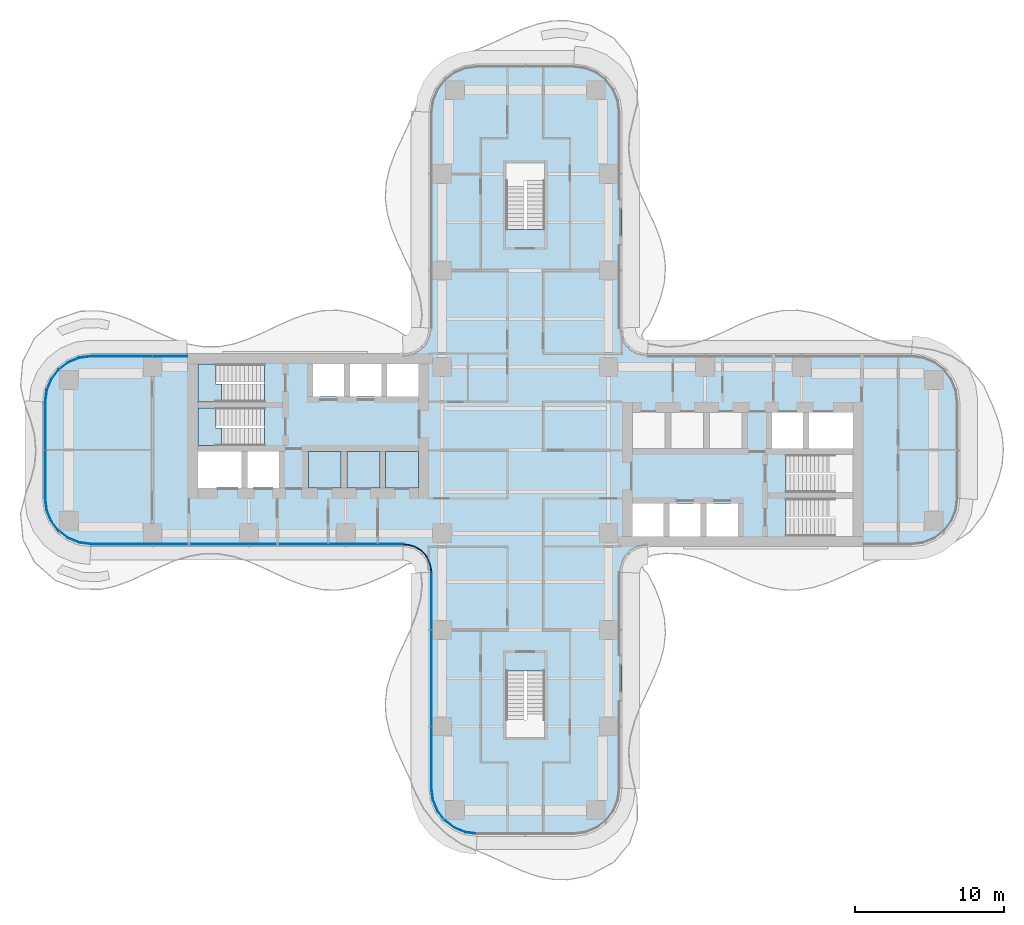
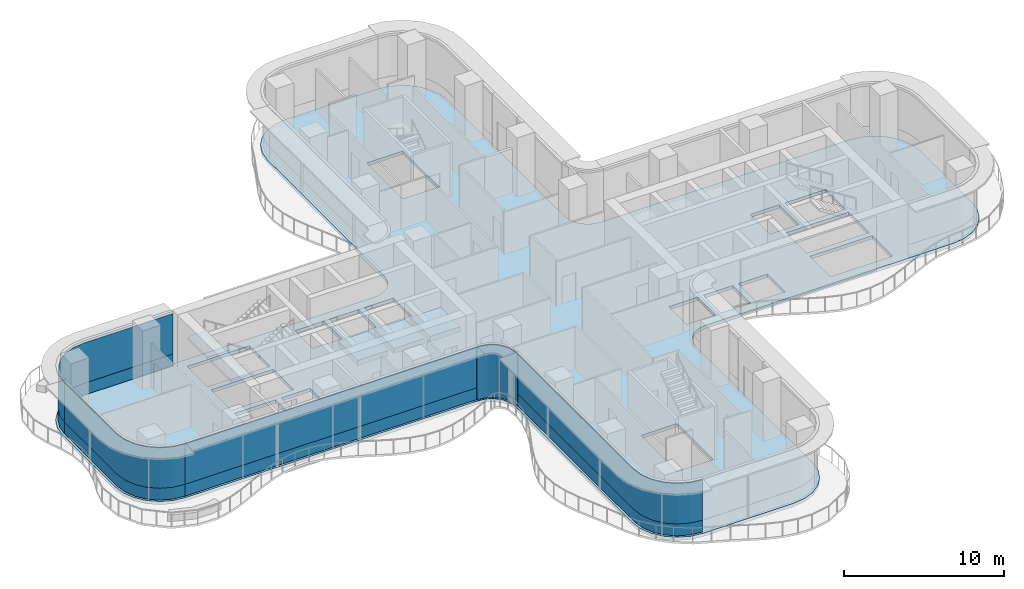
# One storey, part 12 of 20: 9 plates, 6 slabs, 7 elements without a shape of their own.
"""IFC4 building model written with IfcOpenShell, lengths in metres."""

from ifc_helpers import new_model, si_unit, direction, frame, origin, place, context, subcontext, project, spatial, polyline, outline, extrude, source, transform, mapped, material, layer, layer_set, type_object, element, aggregate, save


model = new_model("IFC4")

# Units and contexts
model_context = context("Model", 3, precision=1e-05, world=origin(), true_north=direction((0.0, 1.0)))
body_context = subcontext(model_context, "Body", "Model", "MODEL_VIEW")
ifc_project = project(units=[si_unit("LENGTHUNIT", "METRE"), si_unit("AREAUNIT", "SQUARE_METRE"), si_unit("VOLUMEUNIT", "CUBIC_METRE"), si_unit("PLANEANGLEUNIT", "RADIAN"), si_unit("MASSUNIT", "GRAM", prefix="KILO")], contexts=[model_context])

# Site, building, storey
site_placement = place(None, origin())
site = spatial("IfcSite", under=ifc_project, at=site_placement, CompositionType="ELEMENT")
building_placement = place(site_placement, origin())
building = spatial("IfcBuilding", under=site, at=building_placement, Name="Trellis Farm Tower", CompositionType="ELEMENT")
storey_placement = place(building_placement, frame((0.0, 0.0, 151.5)))
storey = spatial("IfcBuildingStorey", under=building, at=storey_placement, Name="L32", CompositionType="ELEMENT", Elevation=151.5)

# Curtain wall, plate
ifc_material_1 = material(Name="Aluminium and glass curtain wall", Category="aluminium")
ifc_layer_1 = layer(ifc_material_1, 0.18994140625)
ifc_layer_set_1 = layer_set([ifc_layer_1], Name="RIBBON CURTAIN WALL CW1")
curtain_wall_type_1 = type_object("IfcCurtainWallType", Name="RIBBON CURTAIN WALL CW1", PredefinedType="NOTDEFINED", material=ifc_layer_set_1)
placement_1 = place(storey_placement, origin())
curtain_wall_1 = element("IfcCurtainWall", 1, at=placement_1, inside=storey, type_object=curtain_wall_type_1, Name="CW1 001", PredefinedType="NOTDEFINED")
ifc_material_2 = material(Name="Clear insulated glass", Category="glass")
ifc_layer_2 = layer(ifc_material_2, 0.0400390625)
ifc_layer_set_2 = layer_set([ifc_layer_2], Name="CW1 GLASS PANEL 40")
plate_type_1 = type_object("IfcPlateType", Name="CW1 GLASS PANEL 40", PredefinedType="CURTAIN_PANEL", material=ifc_layer_set_2)
placement_2 = place(storey_placement, frame((0.0, 0.0, 0.89990234375)))
plate_1 = element("IfcPlate", 2, at=placement_2, type_object=plate_type_1, Name="PL1 001", PredefinedType="CURTAIN_PANEL", context=body_context, shape_type="SweptSolid", body=[
    extrude(outline(polyline([(-29.240234375, -6.35009765625), (-8.2265625, -6.35009765625), (-8.22509765625, -6.31005859375), (-29.237548828125, -6.31005859375), (-29.240234375, -6.35009765625)])), origin(), (0.0, 0.0, 1.0), 3.070068359375),
])

curtain_wall_2 = element("IfcCurtainWall", 3, at=placement_1, inside=storey, type_object=curtain_wall_type_1, Name="CW1 002", PredefinedType="NOTDEFINED")
plate_2 = element("IfcPlate", 4, at=placement_2, type_object=plate_type_1, Name="PL1 002", PredefinedType="CURTAIN_PANEL", context=body_context, shape_type="SweptSolid", body=[
    extrude(outline(polyline([(-6.35009765625, -8.2265625), (-6.35009765625, -22.740234375), (-6.2431640625, -23.552001953125), (-5.93359375, -24.29931640625), (-5.441162109375, -24.941162109375), (-4.79931640625, -25.43359375), (-4.052001953125, -25.7431640625), (-3.240234375, -25.85009765625), (-3.237548828125, -25.81005859375), (-4.04150390625, -25.7041015625), (-4.779296875, -25.398681640625), (-5.41259765625, -24.91259765625), (-5.898681640625, -24.279296875), (-6.2041015625, -23.54150390625), (-6.31005859375, -22.737548828125), (-6.31005859375, -8.22509765625), (-6.35009765625, -8.2265625)])), origin(), (0.0, 0.0, 1.0), 3.070068359375),
])

curtain_wall_3 = element("IfcCurtainWall", 5, at=placement_1, inside=storey, type_object=curtain_wall_type_1, Name="CW1 013", PredefinedType="NOTDEFINED")
plate_3 = element("IfcPlate", 6, at=placement_2, type_object=plate_type_1, Name="PL1 013", PredefinedType="CURTAIN_PANEL", context=body_context, shape_type="SweptSolid", body=[
    extrude(outline(polyline([(-22.780029296875, 6.35009765625), (-29.240234375, 6.35009765625), (-30.052001953125, 6.2431640625), (-30.79931640625, 5.93359375), (-31.441162109375, 5.441162109375), (-31.93359375, 4.79931640625), (-32.2431640625, 4.052001953125), (-32.35009765625, 3.240234375), (-32.31005859375, 3.237548828125), (-32.2041015625, 4.04150390625), (-31.898681640625, 4.779296875), (-31.41259765625, 5.41259765625), (-30.779296875, 5.898681640625), (-30.04150390625, 6.2041015625), (-29.237548828125, 6.31005859375), (-22.780029296875, 6.31005859375), (-22.780029296875, 6.35009765625)])), origin(), (0.0, 0.0, 1.0), 3.070068359375),
])

curtain_wall_4 = element("IfcCurtainWall", 7, at=placement_1, inside=storey, type_object=curtain_wall_type_1, Name="CW1 014", PredefinedType="NOTDEFINED")
plate_4 = element("IfcPlate", 8, at=placement_2, type_object=plate_type_1, Name="PL1 014", PredefinedType="CURTAIN_PANEL", context=body_context, shape_type="SweptSolid", body=[
    extrude(outline(polyline([(-32.35009765625, 3.240234375), (-32.35009765625, -3.240234375), (-32.2431640625, -4.052001953125), (-31.93359375, -4.79931640625), (-31.441162109375, -5.441162109375), (-30.79931640625, -5.93359375), (-30.052001953125, -6.2431640625), (-29.240234375, -6.35009765625), (-29.237548828125, -6.31005859375), (-30.04150390625, -6.2041015625), (-30.779296875, -5.898681640625), (-31.41259765625, -5.41259765625), (-31.898681640625, -4.779296875), (-32.2041015625, -4.04150390625), (-32.31005859375, -3.237548828125), (-32.31005859375, 3.237548828125), (-32.35009765625, 3.240234375)])), origin(), (0.0, 0.0, 1.0), 3.070068359375),
])

ifc_layer_3 = layer(ifc_material_1, 0.166015625)
ifc_layer_set_3 = layer_set([ifc_layer_3], Name="WINTER GARDEN CURTAIN WALL CW3")
curtain_wall_type_2 = type_object("IfcCurtainWallType", Name="WINTER GARDEN CURTAIN WALL CW3", PredefinedType="NOTDEFINED", material=ifc_layer_set_3)
curtain_wall_5 = element("IfcCurtainWall", 9, at=placement_1, inside=storey, type_object=curtain_wall_type_2, Name="CW3 001", PredefinedType="NOTDEFINED")
ifc_layer_4 = layer(ifc_material_2, 0.0458984375)
ifc_layer_set_4 = layer_set([ifc_layer_4], Name="CW3 GLASS PANEL 46")
plate_type_2 = type_object("IfcPlateType", Name="CW3 GLASS PANEL 46", PredefinedType="CURTAIN_PANEL", material=ifc_layer_set_4)
plate_5 = element("IfcPlate", 10, at=placement_1, type_object=plate_type_2, Name="PL3 001", PredefinedType="CURTAIN_PANEL", context=body_context, shape_type="SweptSolid", body=[
    extrude(outline(polyline([(-8.2275390625, -6.3798828125), (-8.0078125, -6.394287109375), (-7.89208984375, -6.40966796875), (-7.462158203125, -6.52490234375), (-7.070556640625, -6.7509765625), (-6.7509765625, -7.070556640625), (-6.52490234375, -7.462158203125), (-6.40966796875, -7.89208984375), (-6.394287109375, -8.0078125), (-6.3798828125, -8.2275390625), (-6.333984375, -8.22607421875), (-6.3486328125, -8.003173828125), (-6.364501953125, -7.883056640625), (-6.48193359375, -7.4443359375), (-6.714111328125, -7.04248046875), (-7.04248046875, -6.714111328125), (-7.4443359375, -6.48193359375), (-7.883056640625, -6.364501953125), (-8.003173828125, -6.3486328125), (-8.22607421875, -6.333984375), (-8.2275390625, -6.3798828125)])), origin(), (0.0, 0.0, 1.0), 4.0),
])
aggregate(curtain_wall_5, [plate_5])

# Slabs
ifc_material_3 = material(Name="Concrete C70/85", Category="concrete")
ifc_layer_5 = layer(ifc_material_3, 0.39990234375)
ifc_layer_set_5 = layer_set([ifc_layer_5], Name="LIFT PIT SLAB 400 CONCRETE C70/85")
slab_type_1 = type_object("IfcSlabType", Name="LIFT PIT SLAB 400 CONCRETE C70/85", PredefinedType="FLOOR", material=ifc_layer_set_5)
placement_3 = place(storey_placement, frame((0.0, 0.0, 2.5)))
element("IfcSlab", 11, at=placement_3, inside=storey, type_object=slab_type_1, Name="Lift pit slab", PredefinedType="FLOOR", context=body_context, shape_type="SweptSolid", body=[
    extrude(outline(polyline([(-7.199951171875, -0.10009765625), (-9.39990234375, -0.10009765625), (-9.39990234375, -2.550048828125), (-7.199951171875, -2.550048828125), (-7.199951171875, -0.10009765625)])), origin(), (0.0, 0.0, 1.0), 0.39990234375),
])
element("IfcSlab", 12, at=placement_3, inside=storey, type_object=slab_type_1, Name="Lift pit slab", PredefinedType="FLOOR", context=body_context, shape_type="SweptSolid", body=[
    extrude(outline(polyline([(-9.800048828125, -0.10009765625), (-12.0, -0.10009765625), (-12.0, -2.550048828125), (-9.800048828125, -2.550048828125), (-9.800048828125, -0.10009765625)])), origin(), (0.0, 0.0, 1.0), 0.39990234375),
])
element("IfcSlab", 13, at=placement_3, inside=storey, type_object=slab_type_1, Name="Lift pit slab", PredefinedType="FLOOR", context=body_context, shape_type="SweptSolid", body=[
    extrude(outline(polyline([(-12.39990234375, -0.10009765625), (-14.60009765625, -0.10009765625), (-14.60009765625, -2.550048828125), (-12.39990234375, -2.550048828125), (-12.39990234375, -0.10009765625)])), origin(), (0.0, 0.0, 1.0), 0.39990234375),
])
ifc_material_4 = material(Name="Concrete C40/50", Category="concrete")
ifc_layer_6 = layer(ifc_material_4, 0.25)
ifc_layer_set_6 = layer_set([ifc_layer_6], Name="Composite deck floor slab 250")
slab_type_2 = type_object("IfcSlabType", Name="Composite deck floor slab 250", PredefinedType="FLOOR", material=ifc_layer_set_6)
shared_shape_1 = source(origin(), body_context, "Body", "SweptSolid", [
    extrude(outline(polyline([(-30.09130859375, -6.389404296875), (-30.875, -6.064697265625), (-31.548095703125, -5.548095703125), (-32.064697265625, -4.875), (-32.389404296875, -4.09130859375), (-32.5, -3.25), (-32.5, 3.25), (-32.389404296875, 4.09130859375), (-32.064697265625, 4.875), (-31.548095703125, 5.548095703125), (-30.875, 6.064697265625), (-30.09130859375, 6.389404296875), (-29.25, 6.5), (-8.2314453125, 6.5), (-8.01953125, 6.513916015625), (-7.91552734375, 6.527587890625), (-7.508544921875, 6.63671875), (-7.144287109375, 6.846923828125), (-6.846923828125, 7.144287109375), (-6.63671875, 7.508544921875), (-6.527587890625, 7.91552734375), (-6.513916015625, 8.01953125), (-6.5, 8.2314453125), (-6.5, 22.75), (-6.389404296875, 23.59130859375), (-6.064697265625, 24.375), (-5.548095703125, 25.048095703125), (-4.875, 25.564697265625), (-4.09130859375, 25.889404296875), (-3.25, 26.0), (3.25, 26.0), (4.09130859375, 25.889404296875), (4.875, 25.564697265625), (5.548095703125, 25.048095703125), (6.064697265625, 24.375), (6.389404296875, 23.59130859375), (6.5, 22.75), (6.5, 8.2314453125), (6.513916015625, 8.01953125), (6.527587890625, 7.91552734375), (6.63671875, 7.508544921875), (6.846923828125, 7.144287109375), (7.144287109375, 6.846923828125), (7.508544921875, 6.63671875), (7.91552734375, 6.527587890625), (8.01953125, 6.513916015625), (8.2314453125, 6.5), (26.0, 6.5), (26.84130859375, 6.389404296875), (27.625, 6.064697265625), (28.298095703125, 5.548095703125), (28.814697265625, 4.875), (29.139404296875, 4.09130859375), (29.25, 3.25), (29.25, -3.25), (29.139404296875, -4.09130859375), (28.814697265625, -4.875), (28.298095703125, -5.548095703125), (27.625, -6.064697265625), (26.84130859375, -6.389404296875), (26.0, -6.5), (8.2314453125, -6.5), (8.01953125, -6.513916015625), (7.91552734375, -6.527587890625), (7.508544921875, -6.63671875), (7.144287109375, -6.846923828125), (6.846923828125, -7.144287109375), (6.63671875, -7.508544921875), (6.527587890625, -7.91552734375), (6.513916015625, -8.01953125), (6.5, -8.2314453125), (6.5, -22.75), (6.389404296875, -23.59130859375), (6.064697265625, -24.375), (5.548095703125, -25.048095703125), (4.875, -25.564697265625), (4.09130859375, -25.889404296875), (3.25, -26.0), (-3.25, -26.0), (-4.09130859375, -25.889404296875), (-4.875, -25.564697265625), (-5.548095703125, -25.048095703125), (-6.064697265625, -24.375), (-6.389404296875, -23.59130859375), (-6.5, -22.75), (-6.5, -8.2314453125), (-6.513916015625, -8.01953125), (-6.527587890625, -7.91552734375), (-6.63671875, -7.508544921875), (-6.846923828125, -7.144287109375), (-7.144287109375, -6.846923828125), (-7.508544921875, -6.63671875), (-7.91552734375, -6.527587890625), (-8.01953125, -6.513916015625), (-8.2314453125, -6.5), (-29.25, -6.5), (-30.09130859375, -6.389404296875)]), holes=[polyline([(-22.050048828125, -0.10009765625), (-22.050048828125, -2.550048828125), (-19.10009765625, -2.550048828125), (-19.10009765625, -0.10009765625), (-22.050048828125, -0.10009765625)]), polyline([(-18.699951171875, -0.10009765625), (-18.699951171875, -2.550048828125), (-16.60009765625, -2.550048828125), (-16.60009765625, -0.10009765625), (-18.699951171875, -0.10009765625)]), polyline([(-17.56201171875, 1.64990234375), (-17.56201171875, 2.85009765625), (-22.050048828125, 2.85009765625), (-22.050048828125, 0.300048828125), (-17.56005859375, 0.300048828125), (-17.56005859375, 1.5), (-17.550048828125, 1.5), (-17.550048828125, 1.64990234375), (-17.56201171875, 1.64990234375)]), polyline([(-17.56201171875, 4.60009765625), (-17.56201171875, 5.800048828125), (-22.050048828125, 5.800048828125), (-22.050048828125, 3.25), (-17.56005859375, 3.25), (-17.56005859375, 4.449951171875), (-17.550048828125, 4.449951171875), (-17.550048828125, 4.60009765625), (-17.56201171875, 4.60009765625)]), polyline([(-14.300048828125, 5.800048828125), (-14.300048828125, 3.60009765625), (-12.199951171875, 3.60009765625), (-12.199951171875, 5.800048828125), (-14.300048828125, 5.800048828125)]), polyline([(-11.800048828125, 5.800048828125), (-11.800048828125, 3.60009765625), (-9.699951171875, 3.60009765625), (-9.699951171875, 5.800048828125), (-11.800048828125, 5.800048828125)]), polyline([(-9.300048828125, 5.800048828125), (-9.300048828125, 3.60009765625), (-7.199951171875, 3.60009765625), (-7.199951171875, 5.800048828125), (-9.300048828125, 5.800048828125)]), polyline([(0.10009765625, 14.862060546875), (1.300048828125, 14.862060546875), (1.300048828125, 19.35009765625), (-1.300048828125, 19.35009765625), (-1.300048828125, 14.860107421875), (-0.10009765625, 14.860107421875), (-0.10009765625, 14.85009765625), (0.10009765625, 14.85009765625), (0.10009765625, 14.862060546875)]), polyline([(-0.10009765625, -14.862060546875), (-1.300048828125, -14.862060546875), (-1.300048828125, -19.35009765625), (1.300048828125, -19.35009765625), (1.300048828125, -14.860107421875), (0.10009765625, -14.860107421875), (0.10009765625, -14.85009765625), (-0.10009765625, -14.85009765625), (-0.10009765625, -14.862060546875)]), polyline([(9.300048828125, -5.800048828125), (9.300048828125, -3.60009765625), (7.199951171875, -3.60009765625), (7.199951171875, -5.800048828125), (9.300048828125, -5.800048828125)]), polyline([(11.800048828125, -5.800048828125), (11.800048828125, -3.60009765625), (9.699951171875, -3.60009765625), (9.699951171875, -5.800048828125), (11.800048828125, -5.800048828125)]), polyline([(14.300048828125, -5.800048828125), (14.300048828125, -3.60009765625), (12.199951171875, -3.60009765625), (12.199951171875, -5.800048828125), (14.300048828125, -5.800048828125)]), polyline([(17.56201171875, -4.60009765625), (17.56201171875, -5.800048828125), (22.050048828125, -5.800048828125), (22.050048828125, -3.25), (17.56005859375, -3.25), (17.56005859375, -4.449951171875), (17.550048828125, -4.449951171875), (17.550048828125, -4.60009765625), (17.56201171875, -4.60009765625)]), polyline([(17.56201171875, -1.64990234375), (17.56201171875, -2.85009765625), (22.050048828125, -2.85009765625), (22.050048828125, -0.300048828125), (17.56005859375, -0.300048828125), (17.56005859375, -1.5), (17.550048828125, -1.5), (17.550048828125, -1.64990234375), (17.56201171875, -1.64990234375)]), polyline([(18.699951171875, 0.10009765625), (18.699951171875, 2.550048828125), (16.60009765625, 2.550048828125), (16.60009765625, 0.10009765625), (18.699951171875, 0.10009765625)]), polyline([(22.050048828125, 0.10009765625), (22.050048828125, 2.550048828125), (19.10009765625, 2.550048828125), (19.10009765625, 0.10009765625), (22.050048828125, 0.10009765625)])]), origin(), (0.0, 0.0, 1.0), 0.25),
])
slab_4_placement = place(storey_placement, frame((0.0, 0.0, -0.25)))
element("IfcSlab", 14, at=slab_4_placement, inside=storey, type_object=slab_type_2, Name="Floor slab", PredefinedType="FLOOR", context=body_context, shape_type="MappedRepresentation", body=[
    mapped(shared_shape_1, transform((0.0, 0.0, 0.0))),
])

# Stair, slab
ifc_material_5 = material(Name="Concrete C50/60", Category="concrete")
stair_type = type_object("IfcStairType", Name="CORE EXIT STAIR 26 RISERS 173 MM", PredefinedType="HALF_TURN_STAIR", material=ifc_material_5)
stair_1 = element("IfcStair", 15, at=placement_1, inside=storey, type_object=stair_type, Name="Exit stair W1", PredefinedType="HALF_TURN_STAIR")
ifc_layer_7 = layer(ifc_material_5, 0.18994140625)
ifc_layer_set_7 = layer_set([ifc_layer_7], Name="CORE STAIR LANDING 190 CONCRETE C50/60")
slab_type_3 = type_object("IfcSlabType", Name="CORE STAIR LANDING 190 CONCRETE C50/60", PredefinedType="LANDING", material=ifc_layer_set_7)
shared_shape_2 = source(origin(), body_context, "Body", "SweptSolid", [
    extrude(outline(polyline([(-20.453125, 4.449951171875), (-20.453125, 3.25), (-20.85009765625, 3.25), (-22.050048828125, 3.25), (-22.050048828125, 5.800048828125), (-20.85009765625, 5.800048828125), (-20.840087890625, 5.800048828125), (-20.840087890625, 4.60009765625), (-20.85009765625, 4.60009765625), (-20.85009765625, 4.449951171875), (-20.453125, 4.449951171875)])), origin(), (0.0, 0.0, 1.0), 0.18994140625),
])
placement_4 = place(storey_placement, frame((0.0, 0.0, 2.06005859375)))
slab_5 = element("IfcSlab", 16, at=placement_4, type_object=slab_type_3, Name="STW1 landing 1", PredefinedType="LANDING", context=body_context, shape_type="MappedRepresentation", body=[
    mapped(shared_shape_2, transform((0.0, 0.0, 0.0))),
])
aggregate(stair_1, [slab_5])

stair_2 = element("IfcStair", 17, at=placement_1, inside=storey, type_object=stair_type, Name="Exit stair W2", PredefinedType="HALF_TURN_STAIR")
shared_shape_3 = source(origin(), body_context, "Body", "SweptSolid", [
    extrude(outline(polyline([(-20.453125, 1.5), (-20.453125, 0.300048828125), (-20.85009765625, 0.300048828125), (-22.050048828125, 0.300048828125), (-22.050048828125, 2.85009765625), (-20.85009765625, 2.85009765625), (-20.840087890625, 2.85009765625), (-20.840087890625, 1.64990234375), (-20.85009765625, 1.64990234375), (-20.85009765625, 1.5), (-20.453125, 1.5)])), origin(), (0.0, 0.0, 1.0), 0.18994140625),
])
slab_6 = element("IfcSlab", 18, at=placement_4, type_object=slab_type_3, Name="STW2 landing 1", PredefinedType="LANDING", context=body_context, shape_type="MappedRepresentation", body=[
    mapped(shared_shape_3, transform((0.0, 0.0, 0.0))),
])
aggregate(stair_2, [slab_6])

# Plate
ifc_material_6 = material(Name="Sandstone faced insulated panel", Category="masonry")
ifc_layer_8 = layer(ifc_material_6, 0.050048828125)
ifc_layer_set_8 = layer_set([ifc_layer_8], Name="CW1 STONE SPANDREL PANEL 50")
plate_type_3 = type_object("IfcPlateType", Name="CW1 STONE SPANDREL PANEL 50", PredefinedType="CURTAIN_PANEL", material=ifc_layer_set_8)
shared_shape_4 = source(origin(), body_context, "Body", "SweptSolid", [
    extrude(outline(polyline([(-29.240234375, -6.35009765625), (-8.2265625, -6.35009765625), (-8.224853515625, -6.300048828125), (-29.23681640625, -6.300048828125), (-29.240234375, -6.35009765625)])), origin(), (0.0, 0.0, 1.0), 0.89990234375),
])
plate_6 = element("IfcPlate", 19, at=placement_1, type_object=plate_type_3, Name="PS1 001", PredefinedType="CURTAIN_PANEL", context=body_context, shape_type="MappedRepresentation", body=[
    mapped(shared_shape_4, transform((0.0, 0.0, 0.0))),
])

aggregate(curtain_wall_1, [plate_1, plate_6])

shared_shape_5 = source(origin(), body_context, "Body", "SweptSolid", [
    extrude(outline(polyline([(-22.780029296875, 6.35009765625), (-29.240234375, 6.35009765625), (-30.052001953125, 6.2431640625), (-30.79931640625, 5.93359375), (-31.441162109375, 5.441162109375), (-31.93359375, 4.79931640625), (-32.2431640625, 4.052001953125), (-32.35009765625, 3.240234375), (-32.300048828125, 3.23681640625), (-32.1943359375, 4.0390625), (-31.889892578125, 4.774169921875), (-31.405517578125, 5.405517578125), (-30.774169921875, 5.889892578125), (-30.0390625, 6.1943359375), (-29.23681640625, 6.300048828125), (-22.780029296875, 6.300048828125), (-22.780029296875, 6.35009765625)])), origin(), (0.0, 0.0, 1.0), 0.89990234375),
])
plate_7 = element("IfcPlate", 20, at=placement_1, type_object=plate_type_3, Name="PS1 013", PredefinedType="CURTAIN_PANEL", context=body_context, shape_type="MappedRepresentation", body=[
    mapped(shared_shape_5, transform((0.0, 0.0, 0.0))),
])

aggregate(curtain_wall_3, [plate_3, plate_7])

shared_shape_6 = source(origin(), body_context, "Body", "SweptSolid", [
    extrude(outline(polyline([(-32.35009765625, 3.240234375), (-32.35009765625, -3.240234375), (-32.2431640625, -4.052001953125), (-31.93359375, -4.79931640625), (-31.441162109375, -5.441162109375), (-30.79931640625, -5.93359375), (-30.052001953125, -6.2431640625), (-29.240234375, -6.35009765625), (-29.23681640625, -6.300048828125), (-30.0390625, -6.1943359375), (-30.774169921875, -5.889892578125), (-31.405517578125, -5.405517578125), (-31.889892578125, -4.774169921875), (-32.1943359375, -4.0390625), (-32.300048828125, -3.23681640625), (-32.300048828125, 3.23681640625), (-32.35009765625, 3.240234375)])), origin(), (0.0, 0.0, 1.0), 0.89990234375),
])
plate_8 = element("IfcPlate", 21, at=placement_1, type_object=plate_type_3, Name="PS1 014", PredefinedType="CURTAIN_PANEL", context=body_context, shape_type="MappedRepresentation", body=[
    mapped(shared_shape_6, transform((0.0, 0.0, 0.0))),
])

aggregate(curtain_wall_4, [plate_4, plate_8])

shared_shape_7 = source(origin(), body_context, "Body", "SweptSolid", [
    extrude(outline(polyline([(-6.35009765625, -8.2265625), (-6.35009765625, -22.740234375), (-6.2431640625, -23.552001953125), (-5.93359375, -24.29931640625), (-5.441162109375, -24.941162109375), (-4.79931640625, -25.43359375), (-4.052001953125, -25.7431640625), (-3.240234375, -25.85009765625), (-3.23681640625, -25.800048828125), (-4.0390625, -25.6943359375), (-4.774169921875, -25.389892578125), (-5.405517578125, -24.905517578125), (-5.889892578125, -24.274169921875), (-6.1943359375, -23.5390625), (-6.300048828125, -22.73681640625), (-6.300048828125, -8.224853515625), (-6.35009765625, -8.2265625)])), origin(), (0.0, 0.0, 1.0), 0.89990234375),
])
plate_9 = element("IfcPlate", 22, at=placement_1, type_object=plate_type_3, Name="PS1 002", PredefinedType="CURTAIN_PANEL", context=body_context, shape_type="MappedRepresentation", body=[
    mapped(shared_shape_7, transform((0.0, 0.0, 0.0))),
])

aggregate(curtain_wall_2, [plate_2, plate_9])

save(model, "model.ifc")
